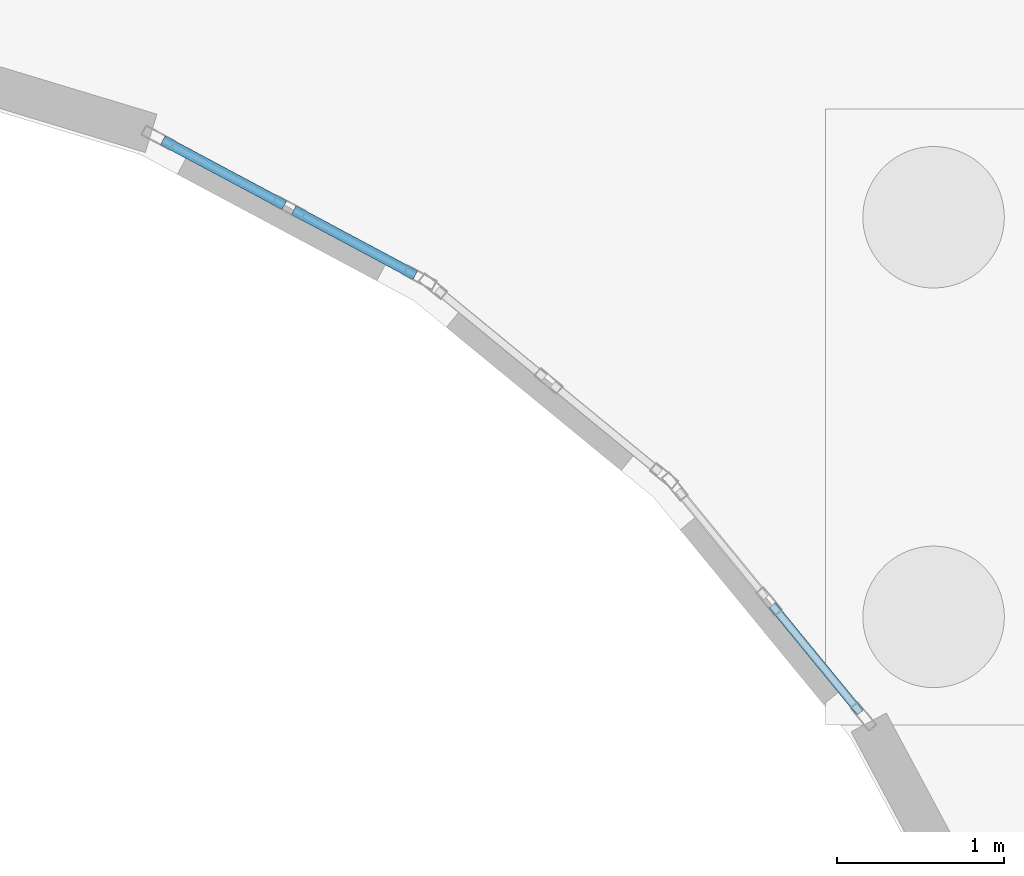
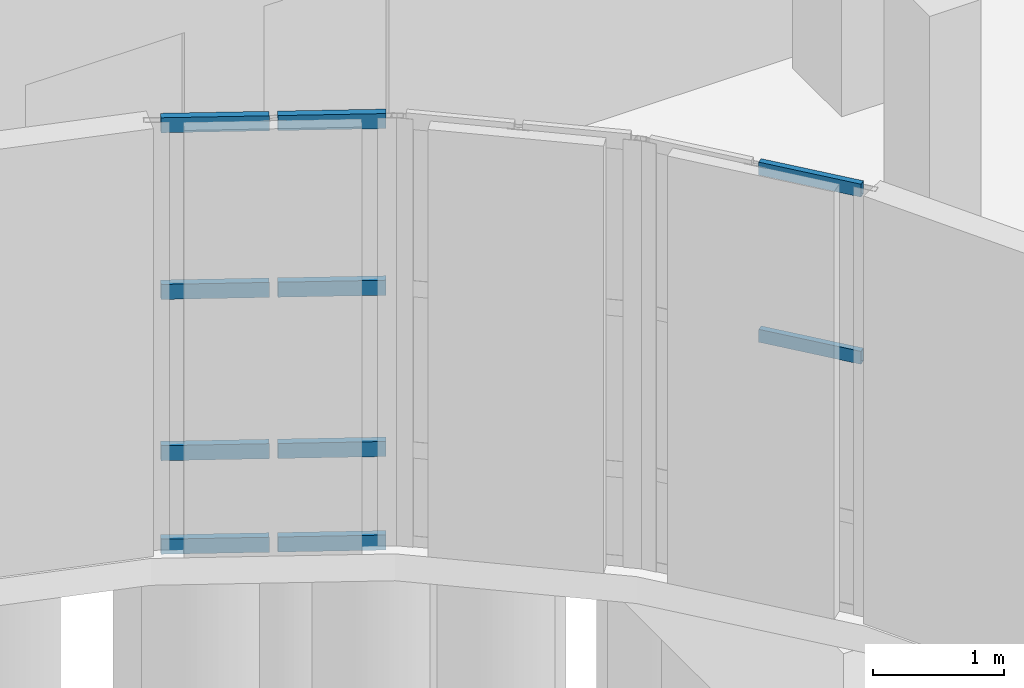
# One storey, part 47 of 93: 10 members, 2 elements without a shape of their own.
"""IFC4 building model written with IfcOpenShell, lengths in metres."""

from ifc_helpers import new_model, si_unit, direction, frame, origin, origin_2d, place, context, subcontext, project, spatial, hollow_rectangle, extrude, material, layer, layer_set, material_profile, profile_set, type_object, element, aggregate, save


model = new_model("IFC4")

# Units and contexts
model_context = context("Model", 3, precision=1e-05, world=origin(), true_north=direction((0.0, 1.0)))
body_context = subcontext(model_context, "Body", "Model", "MODEL_VIEW")
ifc_project = project(units=[si_unit("LENGTHUNIT", "METRE"), si_unit("AREAUNIT", "SQUARE_METRE"), si_unit("VOLUMEUNIT", "CUBIC_METRE"), si_unit("PLANEANGLEUNIT", "RADIAN"), si_unit("MASSUNIT", "GRAM", prefix="KILO")], contexts=[model_context])

# Site, building, storey
site_placement = place(None, origin())
site = spatial("IfcSite", under=ifc_project, at=site_placement, CompositionType="ELEMENT")
building_placement = place(site_placement, origin())
building = spatial("IfcBuilding", under=site, at=building_placement, Name="Kelanivale Promenade Academy", CompositionType="ELEMENT")
storey_placement = place(building_placement, origin())
storey = spatial("IfcBuildingStorey", under=building, at=storey_placement, Name="L00", CompositionType="ELEMENT", Elevation=0.0)

# Curtain wall, members
ifc_material_1 = material(Name="Bronze anodised aluminium and solar-control low-E glass", Category="aluminium")
ifc_layer_1 = layer(ifc_material_1, 0.179931640625)
ifc_layer_set_1 = layer_set([ifc_layer_1], Name="Bronze anodised aluminium and solar-control low-E glass")
curtain_wall_type_1 = type_object("IfcCurtainWallType", Name="CW-02 Curtain Wall 1500mm Module", PredefinedType="USERDEFINED", material=ifc_layer_set_1)
curtain_wall_1_placement = place(storey_placement, origin())
curtain_wall_1 = element("IfcCurtainWall", 1, at=curtain_wall_1_placement, inside=storey, type_object=curtain_wall_type_1, Name="L00 courtyard curtain wall CW-02", ObjectType="UNITISED GLAZING", PredefinedType="USERDEFINED")
ifc_material_2 = material(Name="Bronze anodised aluminium EN AW-6063 T6", Category="aluminium")
ifc_material_profile_1 = material_profile(ifc_material_2, hollow_rectangle(XDim=0.050048828125, YDim=0.1201171875, WallThickness=0.0029296875, at=origin_2d()), Name="ALU 50x120x3.0")
ifc_profile_set_1 = profile_set([ifc_material_profile_1], Name="Bronze anodised aluminium EN AW-6063 T6")
member_type_1 = type_object("IfcMemberType", Name="CWT-02 ALU 50x120x3.0", PredefinedType="USERDEFINED", material=ifc_profile_set_1)
member_1_placement = place(storey_placement, frame((106.759033203125, 62.225341796875, 2.39990234375), z_axis=(-0.634114614295, 0.773239067778, 0.0), x_axis=(-0.773239067778, -0.634114614295, 0.0)))
member_1 = element("IfcMember", 2, at=member_1_placement, type_object=member_type_1, Name="CW-02 transom 1.3", ObjectType="TRANSOM", PredefinedType="USERDEFINED", context=body_context, shape_type="SweptSolid", body=[
    extrude(hollow_rectangle(XDim=0.050048828125, YDim=0.1201171875, WallThickness=0.0029296875, at=origin_2d()), origin(), (0.0, 0.0, 1.0), 0.83349609375),
])
member_2_placement = place(storey_placement, frame((106.759033203125, 62.225341796875, 3.955078125), z_axis=(-0.634114614295, 0.773239067778, 0.0), x_axis=(-0.773239067778, -0.634114614295, 0.0)))
member_2 = element("IfcMember", 3, at=member_2_placement, type_object=member_type_1, Name="CW-02 transom 1.4", ObjectType="TRANSOM", PredefinedType="USERDEFINED", context=body_context, shape_type="SweptSolid", body=[
    extrude(hollow_rectangle(XDim=0.050048828125, YDim=0.1201171875, WallThickness=0.0029296875, at=origin_2d()), origin(), (0.0, 0.0, 1.0), 0.83349609375),
])
aggregate(curtain_wall_1, [member_1, member_2])

ifc_layer_2 = layer(ifc_material_1, 0.169921875)
ifc_layer_set_2 = layer_set([ifc_layer_2], Name="Bronze anodised aluminium and solar-control low-E glass")
curtain_wall_type_2 = type_object("IfcCurtainWallType", Name="CW-04 Curtain Wall 1800mm Module", PredefinedType="USERDEFINED", material=ifc_layer_set_2)
curtain_wall_2_placement = place(storey_placement, origin())
curtain_wall_2 = element("IfcCurtainWall", 4, at=curtain_wall_2_placement, inside=storey, type_object=curtain_wall_type_2, Name="L00 courtyard curtain wall CW-04", ObjectType="UNITISED GLAZING", PredefinedType="USERDEFINED")
ifc_material_profile_2 = material_profile(ifc_material_2, hollow_rectangle(XDim=0.06005859375, YDim=0.139892578125, WallThickness=0.00341796875, at=origin_2d()), Name="ALU 60x140x3.5")
ifc_profile_set_2 = profile_set([ifc_material_profile_2], Name="Bronze anodised aluminium EN AW-6063 T6")
member_type_2 = type_object("IfcMemberType", Name="CWT-04 ALU 60x140x3.5", PredefinedType="USERDEFINED", material=ifc_profile_set_2)
member_3_placement = place(storey_placement, frame((104.086669921875, 64.8525390625, 0.030029296875), z_axis=(-0.881927434659, 0.471385192805, 0.0), x_axis=(-0.471385192805, -0.881927434659, 0.0)))
member_3 = element("IfcMember", 5, at=member_3_placement, type_object=member_type_2, Name="CW-04 transom 1.1", ObjectType="TRANSOM", PredefinedType="USERDEFINED", context=body_context, shape_type="SweptSolid", body=[
    extrude(hollow_rectangle(XDim=0.06005859375, YDim=0.139892578125, WallThickness=0.00341796875, at=origin_2d()), origin(), (0.0, 0.0, 1.0), 0.82666015625),
])
member_4_placement = place(storey_placement, frame((104.086669921875, 64.8525390625, 0.89990234375), z_axis=(-0.881927434659, 0.471385192805, 0.0), x_axis=(-0.471385192805, -0.881927434659, 0.0)))
member_4 = element("IfcMember", 6, at=member_4_placement, type_object=member_type_2, Name="CW-04 transom 1.2", ObjectType="TRANSOM", PredefinedType="USERDEFINED", context=body_context, shape_type="SweptSolid", body=[
    extrude(hollow_rectangle(XDim=0.06005859375, YDim=0.139892578125, WallThickness=0.00341796875, at=origin_2d()), origin(), (0.0, 0.0, 1.0), 0.82666015625),
])
member_5_placement = place(storey_placement, frame((104.086669921875, 64.8525390625, 2.39990234375), z_axis=(-0.881927434659, 0.471385192805, 0.0), x_axis=(-0.471385192805, -0.881927434659, 0.0)))
member_5 = element("IfcMember", 7, at=member_5_placement, type_object=member_type_2, Name="CW-04 transom 1.3", ObjectType="TRANSOM", PredefinedType="USERDEFINED", context=body_context, shape_type="SweptSolid", body=[
    extrude(hollow_rectangle(XDim=0.06005859375, YDim=0.139892578125, WallThickness=0.00341796875, at=origin_2d()), origin(), (0.0, 0.0, 1.0), 0.82666015625),
])
member_6_placement = place(storey_placement, frame((104.086669921875, 64.8525390625, 3.949951171875), z_axis=(-0.881927434659, 0.471385192805, 0.0), x_axis=(-0.471385192805, -0.881927434659, 0.0)))
member_6 = element("IfcMember", 8, at=member_6_placement, type_object=member_type_2, Name="CW-04 transom 1.4", ObjectType="TRANSOM", PredefinedType="USERDEFINED", context=body_context, shape_type="SweptSolid", body=[
    extrude(hollow_rectangle(XDim=0.06005859375, YDim=0.139892578125, WallThickness=0.00341796875, at=origin_2d()), origin(), (0.0, 0.0, 1.0), 0.82666015625),
])
member_7_placement = place(storey_placement, frame((103.30029296875, 65.272705078125, 0.030029296875), z_axis=(-0.881927434659, 0.471385192805, 0.0), x_axis=(-0.471385192805, -0.881927434659, 0.0)))
member_7 = element("IfcMember", 9, at=member_7_placement, type_object=member_type_2, Name="CW-04 transom 2.1", ObjectType="TRANSOM", PredefinedType="USERDEFINED", context=body_context, shape_type="SweptSolid", body=[
    extrude(hollow_rectangle(XDim=0.06005859375, YDim=0.139892578125, WallThickness=0.00341796875, at=origin_2d()), origin(), (0.0, 0.0, 1.0), 0.82666015625),
])
member_8_placement = place(storey_placement, frame((103.30029296875, 65.272705078125, 0.89990234375), z_axis=(-0.881927434659, 0.471385192805, 0.0), x_axis=(-0.471385192805, -0.881927434659, 0.0)))
member_8 = element("IfcMember", 10, at=member_8_placement, type_object=member_type_2, Name="CW-04 transom 2.2", ObjectType="TRANSOM", PredefinedType="USERDEFINED", context=body_context, shape_type="SweptSolid", body=[
    extrude(hollow_rectangle(XDim=0.06005859375, YDim=0.139892578125, WallThickness=0.00341796875, at=origin_2d()), origin(), (0.0, 0.0, 1.0), 0.82666015625),
])
member_9_placement = place(storey_placement, frame((103.30029296875, 65.272705078125, 2.39990234375), z_axis=(-0.881927434659, 0.471385192805, 0.0), x_axis=(-0.471385192805, -0.881927434659, 0.0)))
member_9 = element("IfcMember", 11, at=member_9_placement, type_object=member_type_2, Name="CW-04 transom 2.3", ObjectType="TRANSOM", PredefinedType="USERDEFINED", context=body_context, shape_type="SweptSolid", body=[
    extrude(hollow_rectangle(XDim=0.06005859375, YDim=0.139892578125, WallThickness=0.00341796875, at=origin_2d()), origin(), (0.0, 0.0, 1.0), 0.82666015625),
])
member_10_placement = place(storey_placement, frame((103.30029296875, 65.272705078125, 3.949951171875), z_axis=(-0.881927434659, 0.471385192805, 0.0), x_axis=(-0.471385192805, -0.881927434659, 0.0)))
member_10 = element("IfcMember", 12, at=member_10_placement, type_object=member_type_2, Name="CW-04 transom 2.4", ObjectType="TRANSOM", PredefinedType="USERDEFINED", context=body_context, shape_type="SweptSolid", body=[
    extrude(hollow_rectangle(XDim=0.06005859375, YDim=0.139892578125, WallThickness=0.00341796875, at=origin_2d()), origin(), (0.0, 0.0, 1.0), 0.82666015625),
])
aggregate(curtain_wall_2, [member_3, member_4, member_5, member_6, member_7, member_8, member_9, member_10])

save(model, "model.ifc")
